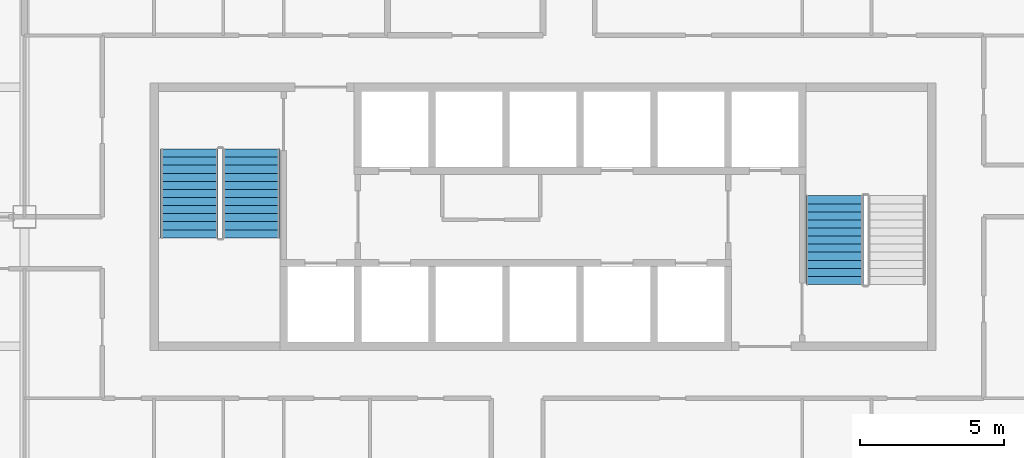
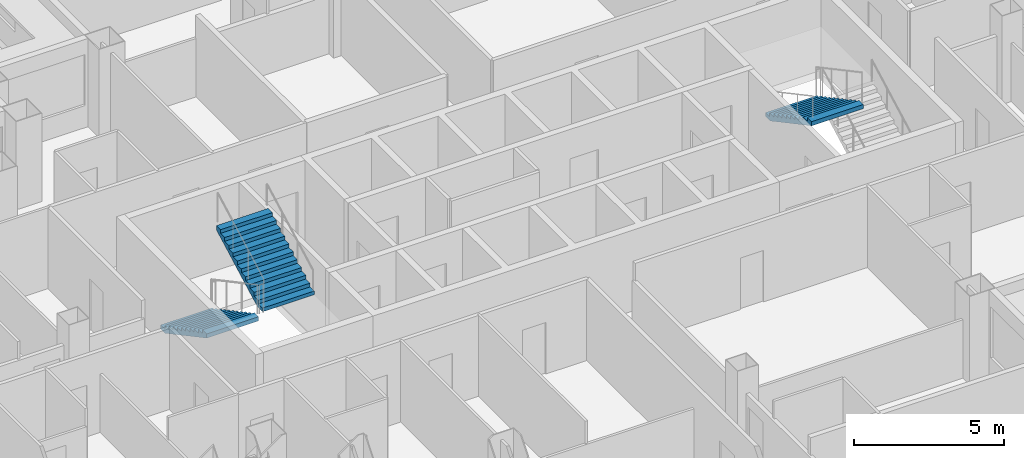
# One storey, part 11 of 15: 3 stair flights, 2 elements without a shape of their own.
"""IFC4 building model written with IfcOpenShell, lengths in metres."""

import ifcopenshell
import ifcopenshell.guid

model = None  # the IFC model being written
_history = None  # IfcOwnerHistory: only IFC2X3 demands one
_inside = {}  # id of a spatial element -> (the spatial element, [elements in it])
_under = {}  # id of a project, library or spatial element -> (it, [spatial elements below it])
_declared = {}  # id of a project -> (the project, [libraries it declares])
_typed = {}  # id of a type object -> (the type object, [elements of that type])
_made_of = {}  # id of a material, layer set ... -> (it, [elements and type objects made of it])


def new_model(schema):
    """Start an empty IFC model of exactly this schema.

    Asked for "IFC4X3", IfcOpenShell would pick the latest addendum, in which some entities
    have other attributes; the version numbers below select the first issue.
    IFC2X3 requires an IfcOwnerHistory on every rooted entity: one is made here for all.
    """
    global model, _history
    if schema == "IFC4X3":
        model = ifcopenshell.file(schema_version=(4, 3, 0, 0))
    else:
        model = ifcopenshell.file(schema=schema)
    _inside.clear()
    _under.clear()
    _declared.clear()
    _typed.clear()
    _made_of.clear()
    _history = None
    if model.schema == "IFC2X3":
        org = make("IfcOrganization", Name="unknown")
        user = make(
            "IfcPersonAndOrganization",
            ThePerson=make("IfcPerson", FamilyName="unknown"),
            TheOrganization=org,
        )
        app = make(
            "IfcApplication",
            ApplicationDeveloper=org,
            Version="unknown",
            ApplicationFullName="unknown",
            ApplicationIdentifier="unknown",
        )
        _history = make(
            "IfcOwnerHistory",
            OwningUser=user,
            OwningApplication=app,
            ChangeAction="ADDED",
            CreationDate=0,
        )
    return model


def make(cls, **values):
    """One entity of the class cls with the attributes given. An attribute that is None is left unset."""
    return model.create_entity(
        cls, **{name: value for name, value in values.items() if value is not None}
    )


def rooted(cls, **values):
    """An entity with a GlobalId (a new one), such as an element, a storey or a relation."""
    return make(cls, GlobalId=ifcopenshell.guid.new(), OwnerHistory=_history, **values)


def si_unit(unit_type, name, prefix=None):
    """IfcSIUnit, for example si_unit("LENGTHUNIT", "METRE", prefix="MILLI")."""
    return make("IfcSIUnit", UnitType=unit_type, Prefix=prefix, Name=name)


def assignment(units):
    """IfcUnitAssignment: the units of a project."""
    return None if units is None else make("IfcUnitAssignment", Units=units)


def point(xyz):
    """IfcCartesianPoint."""
    return None if xyz is None else make("IfcCartesianPoint", Coordinates=xyz)


def direction(xyz):
    """IfcDirection."""
    return None if xyz is None else make("IfcDirection", DirectionRatios=xyz)


def frame(location, z_axis=None, x_axis=None):
    """IfcAxis2Placement3D, a coordinate frame: its origin and axes. An axis left out is left unset."""
    return make(
        "IfcAxis2Placement3D",
        Location=point(location),
        Axis=direction(z_axis),
        RefDirection=direction(x_axis),
    )


def origin():
    """The frame at (0, 0, 0) with its axes left unset."""
    return frame((0.0, 0.0, 0.0))


def place(relative_to, where):
    """IfcLocalPlacement: puts the frame where relative to a parent placement (None: the world)."""
    return make(
        "IfcLocalPlacement", PlacementRelTo=relative_to, RelativePlacement=where
    )


def context(
    kind, dimensions, precision=None, world=None, true_north=None, identifier=None
):
    """IfcGeometricRepresentationContext, for example the 3D "Model" context."""
    return make(
        "IfcGeometricRepresentationContext",
        ContextIdentifier=identifier,
        ContextType=kind,
        CoordinateSpaceDimension=dimensions,
        Precision=precision,
        WorldCoordinateSystem=world,
        TrueNorth=true_north,
    )


def subcontext(parent, identifier, kind, view, scale=None):
    """IfcGeometricRepresentationSubContext, for example "Body" below "Model"."""
    return make(
        "IfcGeometricRepresentationSubContext",
        ContextIdentifier=identifier,
        ContextType=kind,
        ParentContext=parent,
        TargetScale=scale,
        TargetView=view,
    )


def project(units=None, contexts=None):
    """IfcProject with its units and contexts."""
    return rooted(
        "IfcProject",
        Name="project",
        RepresentationContexts=contexts,
        UnitsInContext=assignment(units),
    )


def spatial(cls, under=None, at=None, **own):
    """A site, building, storey or space (cls), placed at a placement, below another one or the project."""
    s = rooted(cls, ObjectPlacement=at, **own)
    if under is not None:
        _under.setdefault(under.id(), (under, []))[1].append(s)
    return s


def point_list(points):
    """IfcCartesianPointList2D or 3D."""
    cls = (
        "IfcCartesianPointList2D" if len(points[0]) == 2 else "IfcCartesianPointList3D"
    )
    return make(cls, CoordList=points)


def polygons(points, faces, closed=None, point_numbers=None):
    """IfcPolygonalFaceSet: a face is its outer loop, then its inner loops; points numbered from 1."""
    made = []
    for loops in faces:
        if len(loops) == 1:
            made.append(make("IfcIndexedPolygonalFace", CoordIndex=loops[0]))
        else:
            made.append(
                make(
                    "IfcIndexedPolygonalFaceWithVoids",
                    CoordIndex=loops[0],
                    InnerCoordIndices=loops[1:],
                )
            )
    return make(
        "IfcPolygonalFaceSet",
        Coordinates=point_list(points),
        Closed=closed,
        Faces=made,
        PnIndex=point_numbers,
    )


def shape(context_of_items, identifier, shape_type, items):
    """IfcShapeRepresentation: the items that make up one representation, for example the "Body"."""
    return make(
        "IfcShapeRepresentation",
        ContextOfItems=context_of_items,
        RepresentationIdentifier=identifier,
        RepresentationType=shape_type,
        Items=items,
    )


def material(Name=None, Category=None):
    """IfcMaterial."""
    return make("IfcMaterial", Name=Name, Category=Category)


def made_of(thing, what):
    """Note that an element or type object is made of a material, layer set ...; save() writes the relation."""
    if what is not None:
        _made_of.setdefault(what.id(), (what, []))[1].append(thing)
    return thing


def type_object(cls, material=None, **own):
    """A type object (cls), such as IfcWallType, which elements share."""
    return made_of(rooted(cls, **own), material)


def element(
    cls,
    number,
    at=None,
    inside=None,
    cuts=None,
    type_object=None,
    material=None,
    context=None,
    identifier="Body",
    shape_type=None,
    held_by="IfcProductDefinitionShape",
    body=None,
    shapes=None,
    **own,
):
    """One element of the class cls, such as IfcWall. Its Tag is "e" and its number.

    at: its placement. inside: the storey or other place that contains it. cuts: it is an
    opening in that element (IfcRelVoidsElement). A single representation is given by context,
    identifier, shape_type and body (its items); several are given by shapes. held_by: the class
    of the entity that holds the representations. save() writes the other relations.
    """
    e = rooted(cls, Tag="e%d" % number, ObjectPlacement=at, **own)
    if body is not None:
        shapes = [shape(context, identifier, shape_type, body)]
    if shapes is not None:
        e.Representation = make(held_by, Representations=shapes)
    if inside is not None:
        _inside.setdefault(inside.id(), (inside, []))[1].append(e)
    if cuts is not None:
        rooted(
            "IfcRelVoidsElement", RelatingBuildingElement=cuts, RelatedOpeningElement=e
        )
    if type_object is not None:
        _typed.setdefault(type_object.id(), (type_object, []))[1].append(e)
    return made_of(e, material)


def aggregate(whole, parts):
    """IfcRelAggregates: a whole, such as a stair, and the parts it consists of."""
    return rooted("IfcRelAggregates", RelatingObject=whole, RelatedObjects=parts)


def save(model, path):
    """Write the relations noted so far, then the file.

    IfcRelAggregates (storeys below a building ...), IfcRelContainedInSpatialStructure (elements
    in a storey), IfcRelDefinesByType, IfcRelAssociatesMaterial and IfcRelDeclares: one each for
    every whole, place, type object, material and project.
    """
    for whole, parts in _under.values():
        aggregate(whole, parts)
    for where, things in _inside.values():
        rooted(
            "IfcRelContainedInSpatialStructure",
            RelatedElements=things,
            RelatingStructure=where,
        )
    for kind, things in _typed.values():
        rooted("IfcRelDefinesByType", RelatedObjects=things, RelatingType=kind)
    for what, things in _made_of.values():
        rooted("IfcRelAssociatesMaterial", RelatedObjects=things, RelatingMaterial=what)
    for by, libraries in _declared.values():
        rooted("IfcRelDeclares", RelatingContext=by, RelatedDefinitions=libraries)
    model.write(path)


model = new_model("IFC4")

# Units and contexts
model_context = context("Model", 3, precision=1e-05, world=origin(), true_north=direction((0.0, 1.0)))
body_context = subcontext(model_context, "Body", "Model", "MODEL_VIEW")
ifc_project = project(units=[si_unit("LENGTHUNIT", "METRE"), si_unit("AREAUNIT", "SQUARE_METRE"), si_unit("VOLUMEUNIT", "CUBIC_METRE"), si_unit("PLANEANGLEUNIT", "RADIAN"), si_unit("MASSUNIT", "GRAM", prefix="KILO")], contexts=[model_context])

# Site, building, storey
site_placement = place(None, origin())
site = spatial("IfcSite", under=ifc_project, at=site_placement, CompositionType="ELEMENT")
building_placement = place(site_placement, origin())
building = spatial("IfcBuilding", under=site, at=building_placement, Name="Caravel Reach Hotel and Residences", CompositionType="ELEMENT")
storey_placement = place(building_placement, frame((0.0, 0.0, 70.800048828125)))
storey = spatial("IfcBuildingStorey", under=building, at=storey_placement, Name="L16", CompositionType="ELEMENT", Elevation=70.800048828125)

# Stair, stair flights
ifc_material_1 = material(Name="Concrete C40", Category="concrete")
stair_type = type_object("IfcStairType", Name="Core stair", PredefinedType="HALF_TURN_STAIR", material=ifc_material_1)
stair_1_placement = place(storey_placement, origin())
stair_1 = element("IfcStair", 1, at=stair_1_placement, inside=storey, type_object=stair_type, Name="L16 Exit stair A", PredefinedType="HALF_TURN_STAIR")
ifc_material_2 = material(Name="Concrete C40", Category="concrete")
stair_flight_type = type_object("IfcStairFlightType", Name="Core stair flight", PredefinedType="STRAIGHT", material=ifc_material_2)
stair_flight_1_placement = place(storey_placement, frame((19.22509765625, 29.35009765625, 0.0), z_axis=(0.0, 0.0, 1.0), x_axis=(0.0, -1.0, 0.0)))
stair_flight_1 = element("IfcStairFlight", 2, at=stair_flight_1_placement, type_object=stair_flight_type, Name="ST-A flight 1", NumberOfRisers=12, NumberOfTreads=11, PredefinedType="STRAIGHT", RiserHeight=0.15, TreadLength=0.28, context=body_context, shape_type="Tessellation", body=[
    polygons([(0.3174408016601862, 1.0, 0.0), (0.3174408016601862, 0.6666666666666667, 0.0), (0.3174408016601862, 0.33333333333333337, 0.0), (0.3174408016601862, 0.0, 0.0), (0.3174408016601862, -0.33333333333333326, 0.0), (0.3174408016601862, -0.6666666666666667, 0.0), (0.3174408016601862, -1.0, 0.0), (3.081, 1.0, 1.479942427682043), (3.081, 0.6666666666666667, 1.479942427682043), (3.081, 0.33333333333333337, 1.479942427682043), (3.081, 0.0, 1.479942427682043), (3.081, -0.33333333333333326, 1.479942427682043), (3.081, -0.6666666666666667, 1.479942427682043), (3.081, -1.0, 1.479942427682043), (3.081, 1.0, 1.65), (3.081, 0.6666666666666667, 1.65), (3.081, 0.33333333333333337, 1.65), (3.081, 0.0, 1.65), (3.081, -0.33333333333333326, 1.65), (3.081, -0.6666666666666667, 1.65), (3.081, -1.0, 1.65), (2.8000000000000003, 1.0, 1.65), (2.8000000000000003, 0.6666666666666667, 1.65), (2.8000000000000003, 0.33333333333333337, 1.65), (2.8000000000000003, 0.0, 1.65), (2.8000000000000003, -0.33333333333333326, 1.65), (2.8000000000000003, -0.6666666666666667, 1.65), (2.8000000000000003, -1.0, 1.65), (2.8000000000000003, 1.0, 1.5), (2.8000000000000003, 0.6666666666666667, 1.5), (2.8000000000000003, 0.33333333333333337, 1.5), (2.8000000000000003, 0.0, 1.5), (2.8000000000000003, -0.33333333333333326, 1.5), (2.8000000000000003, -0.6666666666666667, 1.5), (2.8000000000000003, -1.0, 1.5), (2.5200000000000005, 1.0, 1.5), (2.5200000000000005, 0.6666666666666667, 1.5), (2.5200000000000005, 0.33333333333333337, 1.5), (2.5200000000000005, 0.0, 1.5), (2.5200000000000005, -0.33333333333333326, 1.5), (2.5200000000000005, -0.6666666666666667, 1.5), (2.5200000000000005, -1.0, 1.5), (2.5200000000000005, 1.0, 1.3499999999999999), (2.5200000000000005, 0.6666666666666667, 1.3499999999999999), (2.5200000000000005, 0.33333333333333337, 1.3499999999999999), (2.5200000000000005, 0.0, 1.3499999999999999), (2.5200000000000005, -0.33333333333333326, 1.3499999999999999), (2.5200000000000005, -0.6666666666666667, 1.3499999999999999), (2.5200000000000005, -1.0, 1.3499999999999999), (2.24, 1.0, 1.3499999999999999), (2.24, 0.6666666666666667, 1.3499999999999999), (2.24, 0.33333333333333337, 1.3499999999999999), (2.24, 0.0, 1.3499999999999999), (2.24, -0.33333333333333326, 1.3499999999999999), (2.24, -0.6666666666666667, 1.3499999999999999), (2.24, -1.0, 1.3499999999999999), (2.24, 1.0, 1.2), (2.24, 0.6666666666666667, 1.2), (2.24, 0.33333333333333337, 1.2), (2.24, 0.0, 1.2), (2.24, -0.33333333333333326, 1.2), (2.24, -0.6666666666666667, 1.2), (2.24, -1.0, 1.2), (1.9600000000000002, 1.0, 1.2), (1.9600000000000002, 0.6666666666666667, 1.2), (1.9600000000000002, 0.33333333333333337, 1.2), (1.9600000000000002, 0.0, 1.2), (1.9600000000000002, -0.33333333333333326, 1.2), (1.9600000000000002, -0.6666666666666667, 1.2), (1.9600000000000002, -1.0, 1.2), (1.9600000000000002, 1.0, 1.05), (1.9600000000000002, 0.6666666666666667, 1.05), (1.9600000000000002, 0.33333333333333337, 1.05), (1.9600000000000002, 0.0, 1.05), (1.9600000000000002, -0.33333333333333326, 1.05), (1.9600000000000002, -0.6666666666666667, 1.05), (1.9600000000000002, -1.0, 1.05), (1.6800000000000002, 1.0, 1.05), (1.6800000000000002, 0.6666666666666667, 1.05), (1.6800000000000002, 0.33333333333333337, 1.05), (1.6800000000000002, 0.0, 1.05), (1.6800000000000002, -0.33333333333333326, 1.05), (1.6800000000000002, -0.6666666666666667, 1.05), (1.6800000000000002, -1.0, 1.05), (1.6800000000000002, 1.0, 0.8999999999999999), (1.6800000000000002, 0.6666666666666667, 0.8999999999999999), (1.6800000000000002, 0.33333333333333337, 0.8999999999999999), (1.6800000000000002, 0.0, 0.8999999999999999), (1.6800000000000002, -0.33333333333333326, 0.8999999999999999), (1.6800000000000002, -0.6666666666666667, 0.8999999999999999), (1.6800000000000002, -1.0, 0.8999999999999999), (1.4000000000000001, 1.0, 0.8999999999999999), (1.4000000000000001, 0.6666666666666667, 0.8999999999999999), (1.4000000000000001, 0.33333333333333337, 0.8999999999999999), (1.4000000000000001, 0.0, 0.8999999999999999), (1.4000000000000001, -0.33333333333333326, 0.8999999999999999), (1.4000000000000001, -0.6666666666666667, 0.8999999999999999), (1.4000000000000001, -1.0, 0.8999999999999999), (1.4000000000000001, 1.0, 0.75), (1.4000000000000001, 0.6666666666666667, 0.75), (1.4000000000000001, 0.33333333333333337, 0.75), (1.4000000000000001, 0.0, 0.75), (1.4000000000000001, -0.33333333333333326, 0.75), (1.4000000000000001, -0.6666666666666667, 0.75), (1.4000000000000001, -1.0, 0.75), (1.12, 1.0, 0.75), (1.12, 0.6666666666666667, 0.75), (1.12, 0.33333333333333337, 0.75), (1.12, 0.0, 0.75), (1.12, -0.33333333333333326, 0.75), (1.12, -0.6666666666666667, 0.75), (1.12, -1.0, 0.75), (1.12, 1.0, 0.6), (1.12, 0.6666666666666667, 0.6), (1.12, 0.33333333333333337, 0.6), (1.12, 0.0, 0.6), (1.12, -0.33333333333333326, 0.6), (1.12, -0.6666666666666667, 0.6), (1.12, -1.0, 0.6), (0.8400000000000001, 1.0, 0.6), (0.8400000000000001, 0.6666666666666667, 0.6), (0.8400000000000001, 0.33333333333333337, 0.6), (0.8400000000000001, 0.0, 0.6), (0.8400000000000001, -0.33333333333333326, 0.6), (0.8400000000000001, -0.6666666666666667, 0.6), (0.8400000000000001, -1.0, 0.6), (0.8400000000000001, 1.0, 0.44999999999999996), (0.8400000000000001, 0.6666666666666667, 0.44999999999999996), (0.8400000000000001, 0.33333333333333337, 0.44999999999999996), (0.8400000000000001, 0.0, 0.44999999999999996), (0.8400000000000001, -0.33333333333333326, 0.44999999999999996), (0.8400000000000001, -0.6666666666666667, 0.44999999999999996), (0.8400000000000001, -1.0, 0.44999999999999996), (0.56, 1.0, 0.44999999999999996), (0.56, 0.6666666666666667, 0.44999999999999996), (0.56, 0.33333333333333337, 0.44999999999999996), (0.56, 0.0, 0.44999999999999996), (0.56, -0.33333333333333326, 0.44999999999999996), (0.56, -0.6666666666666667, 0.44999999999999996), (0.56, -1.0, 0.44999999999999996), (0.56, 1.0, 0.3), (0.56, 0.6666666666666667, 0.3), (0.56, 0.33333333333333337, 0.3), (0.56, 0.0, 0.3), (0.56, -0.33333333333333326, 0.3), (0.56, -0.6666666666666667, 0.3), (0.56, -1.0, 0.3), (0.28, 1.0, 0.3), (0.28, 0.6666666666666667, 0.3), (0.28, 0.33333333333333337, 0.3), (0.28, 0.0, 0.3), (0.28, -0.33333333333333326, 0.3), (0.28, -0.6666666666666667, 0.3), (0.28, -1.0, 0.3), (0.28, 1.0, 0.15), (0.28, 0.6666666666666667, 0.15), (0.28, 0.33333333333333337, 0.15), (0.28, 0.0, 0.15), (0.28, -0.33333333333333326, 0.15), (0.28, -0.6666666666666667, 0.15), (0.28, -1.0, 0.15), (-0.001, 1.0, 0.15), (-0.001, 0.6666666666666667, 0.15), (-0.001, 0.33333333333333337, 0.15), (-0.001, 0.0, 0.15), (-0.001, -0.33333333333333326, 0.15), (-0.001, -0.6666666666666667, 0.15), (-0.001, -1.0, 0.15), (-0.001, 1.0, 0.0), (-0.001, 0.6666666666666667, 0.0), (-0.001, 0.33333333333333337, 0.0), (-0.001, 0.0, 0.0), (-0.001, -0.33333333333333326, 0.0), (-0.001, -0.6666666666666667, 0.0), (-0.001, -1.0, 0.0)], [[[169, 162, 155, 148, 141, 134, 127, 120, 113, 106, 99, 92, 85, 78, 71, 64, 57, 50, 43, 36, 29, 22, 15, 8, 1]], [[7, 14, 21, 28, 35, 42, 49, 56, 63, 70, 77, 84, 91, 98, 105, 112, 119, 126, 133, 140, 147, 154, 161, 168, 175]], [[1, 8, 9, 2]], [[2, 9, 10, 3]], [[3, 10, 11, 4]], [[4, 11, 12, 5]], [[5, 12, 13, 6]], [[6, 13, 14, 7]], [[8, 15, 16, 9]], [[9, 16, 17, 10]], [[10, 17, 18, 11]], [[11, 18, 19, 12]], [[12, 19, 20, 13]], [[13, 20, 21, 14]], [[15, 22, 23, 16]], [[16, 23, 24, 17]], [[17, 24, 25, 18]], [[18, 25, 26, 19]], [[19, 26, 27, 20]], [[20, 27, 28, 21]], [[22, 29, 30, 23]], [[23, 30, 31, 24]], [[24, 31, 32, 25]], [[25, 32, 33, 26]], [[26, 33, 34, 27]], [[27, 34, 35, 28]], [[29, 36, 37, 30]], [[30, 37, 38, 31]], [[31, 38, 39, 32]], [[32, 39, 40, 33]], [[33, 40, 41, 34]], [[34, 41, 42, 35]], [[36, 43, 44, 37]], [[37, 44, 45, 38]], [[38, 45, 46, 39]], [[39, 46, 47, 40]], [[40, 47, 48, 41]], [[41, 48, 49, 42]], [[43, 50, 51, 44]], [[44, 51, 52, 45]], [[45, 52, 53, 46]], [[46, 53, 54, 47]], [[47, 54, 55, 48]], [[48, 55, 56, 49]], [[50, 57, 58, 51]], [[51, 58, 59, 52]], [[52, 59, 60, 53]], [[53, 60, 61, 54]], [[54, 61, 62, 55]], [[55, 62, 63, 56]], [[57, 64, 65, 58]], [[58, 65, 66, 59]], [[59, 66, 67, 60]], [[60, 67, 68, 61]], [[61, 68, 69, 62]], [[62, 69, 70, 63]], [[64, 71, 72, 65]], [[65, 72, 73, 66]], [[66, 73, 74, 67]], [[67, 74, 75, 68]], [[68, 75, 76, 69]], [[69, 76, 77, 70]], [[71, 78, 79, 72]], [[72, 79, 80, 73]], [[73, 80, 81, 74]], [[74, 81, 82, 75]], [[75, 82, 83, 76]], [[76, 83, 84, 77]], [[78, 85, 86, 79]], [[79, 86, 87, 80]], [[80, 87, 88, 81]], [[81, 88, 89, 82]], [[82, 89, 90, 83]], [[83, 90, 91, 84]], [[85, 92, 93, 86]], [[86, 93, 94, 87]], [[87, 94, 95, 88]], [[88, 95, 96, 89]], [[89, 96, 97, 90]], [[90, 97, 98, 91]], [[92, 99, 100, 93]], [[93, 100, 101, 94]], [[94, 101, 102, 95]], [[95, 102, 103, 96]], [[96, 103, 104, 97]], [[97, 104, 105, 98]], [[99, 106, 107, 100]], [[100, 107, 108, 101]], [[101, 108, 109, 102]], [[102, 109, 110, 103]], [[103, 110, 111, 104]], [[104, 111, 112, 105]], [[106, 113, 114, 107]], [[107, 114, 115, 108]], [[108, 115, 116, 109]], [[109, 116, 117, 110]], [[110, 117, 118, 111]], [[111, 118, 119, 112]], [[113, 120, 121, 114]], [[114, 121, 122, 115]], [[115, 122, 123, 116]], [[116, 123, 124, 117]], [[117, 124, 125, 118]], [[118, 125, 126, 119]], [[120, 127, 128, 121]], [[121, 128, 129, 122]], [[122, 129, 130, 123]], [[123, 130, 131, 124]], [[124, 131, 132, 125]], [[125, 132, 133, 126]], [[127, 134, 135, 128]], [[128, 135, 136, 129]], [[129, 136, 137, 130]], [[130, 137, 138, 131]], [[131, 138, 139, 132]], [[132, 139, 140, 133]], [[134, 141, 142, 135]], [[135, 142, 143, 136]], [[136, 143, 144, 137]], [[137, 144, 145, 138]], [[138, 145, 146, 139]], [[139, 146, 147, 140]], [[141, 148, 149, 142]], [[142, 149, 150, 143]], [[143, 150, 151, 144]], [[144, 151, 152, 145]], [[145, 152, 153, 146]], [[146, 153, 154, 147]], [[148, 155, 156, 149]], [[149, 156, 157, 150]], [[150, 157, 158, 151]], [[151, 158, 159, 152]], [[152, 159, 160, 153]], [[153, 160, 161, 154]], [[155, 162, 163, 156]], [[156, 163, 164, 157]], [[157, 164, 165, 158]], [[158, 165, 166, 159]], [[159, 166, 167, 160]], [[160, 167, 168, 161]], [[162, 169, 170, 163]], [[163, 170, 171, 164]], [[164, 171, 172, 165]], [[165, 172, 173, 166]], [[166, 173, 174, 167]], [[167, 174, 175, 168]], [[169, 1, 2, 170]], [[170, 2, 3, 171]], [[171, 3, 4, 172]], [[172, 4, 5, 173]], [[173, 5, 6, 174]], [[174, 6, 7, 175]]], closed=True),
])
stair_flight_2_placement = place(storey_placement, frame((21.375, 26.27001953125, 1.800048828125), z_axis=(0.0, 0.0, 1.0), x_axis=(0.0, 1.0, 0.0)))
stair_flight_2 = element("IfcStairFlight", 3, at=stair_flight_2_placement, type_object=stair_flight_type, Name="ST-A flight 2", NumberOfRisers=12, NumberOfTreads=11, PredefinedType="STRAIGHT", RiserHeight=0.15, TreadLength=0.28, context=body_context, shape_type="Tessellation", body=[
    polygons([(0.3174408016601862, 1.0, 0.0), (0.3174408016601862, 0.6666666666666667, 0.0), (0.3174408016601862, 0.33333333333333337, 0.0), (0.3174408016601862, 0.0, 0.0), (0.3174408016601862, -0.33333333333333326, 0.0), (0.3174408016601862, -0.6666666666666667, 0.0), (0.3174408016601862, -1.0, 0.0), (3.081, 1.0, 1.479942427682043), (3.081, 0.6666666666666667, 1.479942427682043), (3.081, 0.33333333333333337, 1.479942427682043), (3.081, 0.0, 1.479942427682043), (3.081, -0.33333333333333326, 1.479942427682043), (3.081, -0.6666666666666667, 1.479942427682043), (3.081, -1.0, 1.479942427682043), (3.081, 1.0, 1.65), (3.081, 0.6666666666666667, 1.65), (3.081, 0.33333333333333337, 1.65), (3.081, 0.0, 1.65), (3.081, -0.33333333333333326, 1.65), (3.081, -0.6666666666666667, 1.65), (3.081, -1.0, 1.65), (2.8000000000000003, 1.0, 1.65), (2.8000000000000003, 0.6666666666666667, 1.65), (2.8000000000000003, 0.33333333333333337, 1.65), (2.8000000000000003, 0.0, 1.65), (2.8000000000000003, -0.33333333333333326, 1.65), (2.8000000000000003, -0.6666666666666667, 1.65), (2.8000000000000003, -1.0, 1.65), (2.8000000000000003, 1.0, 1.5), (2.8000000000000003, 0.6666666666666667, 1.5), (2.8000000000000003, 0.33333333333333337, 1.5), (2.8000000000000003, 0.0, 1.5), (2.8000000000000003, -0.33333333333333326, 1.5), (2.8000000000000003, -0.6666666666666667, 1.5), (2.8000000000000003, -1.0, 1.5), (2.5200000000000005, 1.0, 1.5), (2.5200000000000005, 0.6666666666666667, 1.5), (2.5200000000000005, 0.33333333333333337, 1.5), (2.5200000000000005, 0.0, 1.5), (2.5200000000000005, -0.33333333333333326, 1.5), (2.5200000000000005, -0.6666666666666667, 1.5), (2.5200000000000005, -1.0, 1.5), (2.5200000000000005, 1.0, 1.3499999999999999), (2.5200000000000005, 0.6666666666666667, 1.3499999999999999), (2.5200000000000005, 0.33333333333333337, 1.3499999999999999), (2.5200000000000005, 0.0, 1.3499999999999999), (2.5200000000000005, -0.33333333333333326, 1.3499999999999999), (2.5200000000000005, -0.6666666666666667, 1.3499999999999999), (2.5200000000000005, -1.0, 1.3499999999999999), (2.24, 1.0, 1.3499999999999999), (2.24, 0.6666666666666667, 1.3499999999999999), (2.24, 0.33333333333333337, 1.3499999999999999), (2.24, 0.0, 1.3499999999999999), (2.24, -0.33333333333333326, 1.3499999999999999), (2.24, -0.6666666666666667, 1.3499999999999999), (2.24, -1.0, 1.3499999999999999), (2.24, 1.0, 1.2), (2.24, 0.6666666666666667, 1.2), (2.24, 0.33333333333333337, 1.2), (2.24, 0.0, 1.2), (2.24, -0.33333333333333326, 1.2), (2.24, -0.6666666666666667, 1.2), (2.24, -1.0, 1.2), (1.9600000000000002, 1.0, 1.2), (1.9600000000000002, 0.6666666666666667, 1.2), (1.9600000000000002, 0.33333333333333337, 1.2), (1.9600000000000002, 0.0, 1.2), (1.9600000000000002, -0.33333333333333326, 1.2), (1.9600000000000002, -0.6666666666666667, 1.2), (1.9600000000000002, -1.0, 1.2), (1.9600000000000002, 1.0, 1.05), (1.9600000000000002, 0.6666666666666667, 1.05), (1.9600000000000002, 0.33333333333333337, 1.05), (1.9600000000000002, 0.0, 1.05), (1.9600000000000002, -0.33333333333333326, 1.05), (1.9600000000000002, -0.6666666666666667, 1.05), (1.9600000000000002, -1.0, 1.05), (1.6800000000000002, 1.0, 1.05), (1.6800000000000002, 0.6666666666666667, 1.05), (1.6800000000000002, 0.33333333333333337, 1.05), (1.6800000000000002, 0.0, 1.05), (1.6800000000000002, -0.33333333333333326, 1.05), (1.6800000000000002, -0.6666666666666667, 1.05), (1.6800000000000002, -1.0, 1.05), (1.6800000000000002, 1.0, 0.8999999999999999), (1.6800000000000002, 0.6666666666666667, 0.8999999999999999), (1.6800000000000002, 0.33333333333333337, 0.8999999999999999), (1.6800000000000002, 0.0, 0.8999999999999999), (1.6800000000000002, -0.33333333333333326, 0.8999999999999999), (1.6800000000000002, -0.6666666666666667, 0.8999999999999999), (1.6800000000000002, -1.0, 0.8999999999999999), (1.4000000000000001, 1.0, 0.8999999999999999), (1.4000000000000001, 0.6666666666666667, 0.8999999999999999), (1.4000000000000001, 0.33333333333333337, 0.8999999999999999), (1.4000000000000001, 0.0, 0.8999999999999999), (1.4000000000000001, -0.33333333333333326, 0.8999999999999999), (1.4000000000000001, -0.6666666666666667, 0.8999999999999999), (1.4000000000000001, -1.0, 0.8999999999999999), (1.4000000000000001, 1.0, 0.75), (1.4000000000000001, 0.6666666666666667, 0.75), (1.4000000000000001, 0.33333333333333337, 0.75), (1.4000000000000001, 0.0, 0.75), (1.4000000000000001, -0.33333333333333326, 0.75), (1.4000000000000001, -0.6666666666666667, 0.75), (1.4000000000000001, -1.0, 0.75), (1.12, 1.0, 0.75), (1.12, 0.6666666666666667, 0.75), (1.12, 0.33333333333333337, 0.75), (1.12, 0.0, 0.75), (1.12, -0.33333333333333326, 0.75), (1.12, -0.6666666666666667, 0.75), (1.12, -1.0, 0.75), (1.12, 1.0, 0.6), (1.12, 0.6666666666666667, 0.6), (1.12, 0.33333333333333337, 0.6), (1.12, 0.0, 0.6), (1.12, -0.33333333333333326, 0.6), (1.12, -0.6666666666666667, 0.6), (1.12, -1.0, 0.6), (0.8400000000000001, 1.0, 0.6), (0.8400000000000001, 0.6666666666666667, 0.6), (0.8400000000000001, 0.33333333333333337, 0.6), (0.8400000000000001, 0.0, 0.6), (0.8400000000000001, -0.33333333333333326, 0.6), (0.8400000000000001, -0.6666666666666667, 0.6), (0.8400000000000001, -1.0, 0.6), (0.8400000000000001, 1.0, 0.44999999999999996), (0.8400000000000001, 0.6666666666666667, 0.44999999999999996), (0.8400000000000001, 0.33333333333333337, 0.44999999999999996), (0.8400000000000001, 0.0, 0.44999999999999996), (0.8400000000000001, -0.33333333333333326, 0.44999999999999996), (0.8400000000000001, -0.6666666666666667, 0.44999999999999996), (0.8400000000000001, -1.0, 0.44999999999999996), (0.56, 1.0, 0.44999999999999996), (0.56, 0.6666666666666667, 0.44999999999999996), (0.56, 0.33333333333333337, 0.44999999999999996), (0.56, 0.0, 0.44999999999999996), (0.56, -0.33333333333333326, 0.44999999999999996), (0.56, -0.6666666666666667, 0.44999999999999996), (0.56, -1.0, 0.44999999999999996), (0.56, 1.0, 0.3), (0.56, 0.6666666666666667, 0.3), (0.56, 0.33333333333333337, 0.3), (0.56, 0.0, 0.3), (0.56, -0.33333333333333326, 0.3), (0.56, -0.6666666666666667, 0.3), (0.56, -1.0, 0.3), (0.28, 1.0, 0.3), (0.28, 0.6666666666666667, 0.3), (0.28, 0.33333333333333337, 0.3), (0.28, 0.0, 0.3), (0.28, -0.33333333333333326, 0.3), (0.28, -0.6666666666666667, 0.3), (0.28, -1.0, 0.3), (0.28, 1.0, 0.15), (0.28, 0.6666666666666667, 0.15), (0.28, 0.33333333333333337, 0.15), (0.28, 0.0, 0.15), (0.28, -0.33333333333333326, 0.15), (0.28, -0.6666666666666667, 0.15), (0.28, -1.0, 0.15), (-0.001, 1.0, 0.15), (-0.001, 0.6666666666666667, 0.15), (-0.001, 0.33333333333333337, 0.15), (-0.001, 0.0, 0.15), (-0.001, -0.33333333333333326, 0.15), (-0.001, -0.6666666666666667, 0.15), (-0.001, -1.0, 0.15), (-0.001, 1.0, 0.0), (-0.001, 0.6666666666666667, 0.0), (-0.001, 0.33333333333333337, 0.0), (-0.001, 0.0, 0.0), (-0.001, -0.33333333333333326, 0.0), (-0.001, -0.6666666666666667, 0.0), (-0.001, -1.0, 0.0)], [[[169, 162, 155, 148, 141, 134, 127, 120, 113, 106, 99, 92, 85, 78, 71, 64, 57, 50, 43, 36, 29, 22, 15, 8, 1]], [[7, 14, 21, 28, 35, 42, 49, 56, 63, 70, 77, 84, 91, 98, 105, 112, 119, 126, 133, 140, 147, 154, 161, 168, 175]], [[1, 8, 9, 2]], [[2, 9, 10, 3]], [[3, 10, 11, 4]], [[4, 11, 12, 5]], [[5, 12, 13, 6]], [[6, 13, 14, 7]], [[8, 15, 16, 9]], [[9, 16, 17, 10]], [[10, 17, 18, 11]], [[11, 18, 19, 12]], [[12, 19, 20, 13]], [[13, 20, 21, 14]], [[15, 22, 23, 16]], [[16, 23, 24, 17]], [[17, 24, 25, 18]], [[18, 25, 26, 19]], [[19, 26, 27, 20]], [[20, 27, 28, 21]], [[22, 29, 30, 23]], [[23, 30, 31, 24]], [[24, 31, 32, 25]], [[25, 32, 33, 26]], [[26, 33, 34, 27]], [[27, 34, 35, 28]], [[29, 36, 37, 30]], [[30, 37, 38, 31]], [[31, 38, 39, 32]], [[32, 39, 40, 33]], [[33, 40, 41, 34]], [[34, 41, 42, 35]], [[36, 43, 44, 37]], [[37, 44, 45, 38]], [[38, 45, 46, 39]], [[39, 46, 47, 40]], [[40, 47, 48, 41]], [[41, 48, 49, 42]], [[43, 50, 51, 44]], [[44, 51, 52, 45]], [[45, 52, 53, 46]], [[46, 53, 54, 47]], [[47, 54, 55, 48]], [[48, 55, 56, 49]], [[50, 57, 58, 51]], [[51, 58, 59, 52]], [[52, 59, 60, 53]], [[53, 60, 61, 54]], [[54, 61, 62, 55]], [[55, 62, 63, 56]], [[57, 64, 65, 58]], [[58, 65, 66, 59]], [[59, 66, 67, 60]], [[60, 67, 68, 61]], [[61, 68, 69, 62]], [[62, 69, 70, 63]], [[64, 71, 72, 65]], [[65, 72, 73, 66]], [[66, 73, 74, 67]], [[67, 74, 75, 68]], [[68, 75, 76, 69]], [[69, 76, 77, 70]], [[71, 78, 79, 72]], [[72, 79, 80, 73]], [[73, 80, 81, 74]], [[74, 81, 82, 75]], [[75, 82, 83, 76]], [[76, 83, 84, 77]], [[78, 85, 86, 79]], [[79, 86, 87, 80]], [[80, 87, 88, 81]], [[81, 88, 89, 82]], [[82, 89, 90, 83]], [[83, 90, 91, 84]], [[85, 92, 93, 86]], [[86, 93, 94, 87]], [[87, 94, 95, 88]], [[88, 95, 96, 89]], [[89, 96, 97, 90]], [[90, 97, 98, 91]], [[92, 99, 100, 93]], [[93, 100, 101, 94]], [[94, 101, 102, 95]], [[95, 102, 103, 96]], [[96, 103, 104, 97]], [[97, 104, 105, 98]], [[99, 106, 107, 100]], [[100, 107, 108, 101]], [[101, 108, 109, 102]], [[102, 109, 110, 103]], [[103, 110, 111, 104]], [[104, 111, 112, 105]], [[106, 113, 114, 107]], [[107, 114, 115, 108]], [[108, 115, 116, 109]], [[109, 116, 117, 110]], [[110, 117, 118, 111]], [[111, 118, 119, 112]], [[113, 120, 121, 114]], [[114, 121, 122, 115]], [[115, 122, 123, 116]], [[116, 123, 124, 117]], [[117, 124, 125, 118]], [[118, 125, 126, 119]], [[120, 127, 128, 121]], [[121, 128, 129, 122]], [[122, 129, 130, 123]], [[123, 130, 131, 124]], [[124, 131, 132, 125]], [[125, 132, 133, 126]], [[127, 134, 135, 128]], [[128, 135, 136, 129]], [[129, 136, 137, 130]], [[130, 137, 138, 131]], [[131, 138, 139, 132]], [[132, 139, 140, 133]], [[134, 141, 142, 135]], [[135, 142, 143, 136]], [[136, 143, 144, 137]], [[137, 144, 145, 138]], [[138, 145, 146, 139]], [[139, 146, 147, 140]], [[141, 148, 149, 142]], [[142, 149, 150, 143]], [[143, 150, 151, 144]], [[144, 151, 152, 145]], [[145, 152, 153, 146]], [[146, 153, 154, 147]], [[148, 155, 156, 149]], [[149, 156, 157, 150]], [[150, 157, 158, 151]], [[151, 158, 159, 152]], [[152, 159, 160, 153]], [[153, 160, 161, 154]], [[155, 162, 163, 156]], [[156, 163, 164, 157]], [[157, 164, 165, 158]], [[158, 165, 166, 159]], [[159, 166, 167, 160]], [[160, 167, 168, 161]], [[162, 169, 170, 163]], [[163, 170, 171, 164]], [[164, 171, 172, 165]], [[165, 172, 173, 166]], [[166, 173, 174, 167]], [[167, 174, 175, 168]], [[169, 1, 2, 170]], [[170, 2, 3, 171]], [[171, 3, 4, 172]], [[172, 4, 5, 173]], [[173, 5, 6, 174]], [[174, 6, 7, 175]]], closed=True),
])
aggregate(stair_1, [stair_flight_1, stair_flight_2])

# Stair, stair flight
stair_2_placement = place(storey_placement, origin())
stair_2 = element("IfcStair", 4, at=stair_2_placement, inside=storey, type_object=stair_type, Name="L16 Exit stair B", PredefinedType="HALF_TURN_STAIR")
stair_flight_3_placement = place(storey_placement, frame((41.625, 27.72998046875, 1.800048828125), z_axis=(0.0, 0.0, 1.0), x_axis=(0.0, -1.0, 0.0)))
stair_flight_3 = element("IfcStairFlight", 5, at=stair_flight_3_placement, type_object=stair_flight_type, Name="ST-B flight 2", NumberOfRisers=12, NumberOfTreads=11, PredefinedType="STRAIGHT", RiserHeight=0.15, TreadLength=0.28, context=body_context, shape_type="Tessellation", body=[
    polygons([(0.3174408016601862, 1.0, 0.0), (0.3174408016601862, 0.6666666666666667, 0.0), (0.3174408016601862, 0.33333333333333337, 0.0), (0.3174408016601862, 0.0, 0.0), (0.3174408016601862, -0.33333333333333326, 0.0), (0.3174408016601862, -0.6666666666666667, 0.0), (0.3174408016601862, -1.0, 0.0), (3.081, 1.0, 1.479942427682043), (3.081, 0.6666666666666667, 1.479942427682043), (3.081, 0.33333333333333337, 1.479942427682043), (3.081, 0.0, 1.479942427682043), (3.081, -0.33333333333333326, 1.479942427682043), (3.081, -0.6666666666666667, 1.479942427682043), (3.081, -1.0, 1.479942427682043), (3.081, 1.0, 1.65), (3.081, 0.6666666666666667, 1.65), (3.081, 0.33333333333333337, 1.65), (3.081, 0.0, 1.65), (3.081, -0.33333333333333326, 1.65), (3.081, -0.6666666666666667, 1.65), (3.081, -1.0, 1.65), (2.8000000000000003, 1.0, 1.65), (2.8000000000000003, 0.6666666666666667, 1.65), (2.8000000000000003, 0.33333333333333337, 1.65), (2.8000000000000003, 0.0, 1.65), (2.8000000000000003, -0.33333333333333326, 1.65), (2.8000000000000003, -0.6666666666666667, 1.65), (2.8000000000000003, -1.0, 1.65), (2.8000000000000003, 1.0, 1.5), (2.8000000000000003, 0.6666666666666667, 1.5), (2.8000000000000003, 0.33333333333333337, 1.5), (2.8000000000000003, 0.0, 1.5), (2.8000000000000003, -0.33333333333333326, 1.5), (2.8000000000000003, -0.6666666666666667, 1.5), (2.8000000000000003, -1.0, 1.5), (2.5200000000000005, 1.0, 1.5), (2.5200000000000005, 0.6666666666666667, 1.5), (2.5200000000000005, 0.33333333333333337, 1.5), (2.5200000000000005, 0.0, 1.5), (2.5200000000000005, -0.33333333333333326, 1.5), (2.5200000000000005, -0.6666666666666667, 1.5), (2.5200000000000005, -1.0, 1.5), (2.5200000000000005, 1.0, 1.3499999999999999), (2.5200000000000005, 0.6666666666666667, 1.3499999999999999), (2.5200000000000005, 0.33333333333333337, 1.3499999999999999), (2.5200000000000005, 0.0, 1.3499999999999999), (2.5200000000000005, -0.33333333333333326, 1.3499999999999999), (2.5200000000000005, -0.6666666666666667, 1.3499999999999999), (2.5200000000000005, -1.0, 1.3499999999999999), (2.24, 1.0, 1.3499999999999999), (2.24, 0.6666666666666667, 1.3499999999999999), (2.24, 0.33333333333333337, 1.3499999999999999), (2.24, 0.0, 1.3499999999999999), (2.24, -0.33333333333333326, 1.3499999999999999), (2.24, -0.6666666666666667, 1.3499999999999999), (2.24, -1.0, 1.3499999999999999), (2.24, 1.0, 1.2), (2.24, 0.6666666666666667, 1.2), (2.24, 0.33333333333333337, 1.2), (2.24, 0.0, 1.2), (2.24, -0.33333333333333326, 1.2), (2.24, -0.6666666666666667, 1.2), (2.24, -1.0, 1.2), (1.9600000000000002, 1.0, 1.2), (1.9600000000000002, 0.6666666666666667, 1.2), (1.9600000000000002, 0.33333333333333337, 1.2), (1.9600000000000002, 0.0, 1.2), (1.9600000000000002, -0.33333333333333326, 1.2), (1.9600000000000002, -0.6666666666666667, 1.2), (1.9600000000000002, -1.0, 1.2), (1.9600000000000002, 1.0, 1.05), (1.9600000000000002, 0.6666666666666667, 1.05), (1.9600000000000002, 0.33333333333333337, 1.05), (1.9600000000000002, 0.0, 1.05), (1.9600000000000002, -0.33333333333333326, 1.05), (1.9600000000000002, -0.6666666666666667, 1.05), (1.9600000000000002, -1.0, 1.05), (1.6800000000000002, 1.0, 1.05), (1.6800000000000002, 0.6666666666666667, 1.05), (1.6800000000000002, 0.33333333333333337, 1.05), (1.6800000000000002, 0.0, 1.05), (1.6800000000000002, -0.33333333333333326, 1.05), (1.6800000000000002, -0.6666666666666667, 1.05), (1.6800000000000002, -1.0, 1.05), (1.6800000000000002, 1.0, 0.8999999999999999), (1.6800000000000002, 0.6666666666666667, 0.8999999999999999), (1.6800000000000002, 0.33333333333333337, 0.8999999999999999), (1.6800000000000002, 0.0, 0.8999999999999999), (1.6800000000000002, -0.33333333333333326, 0.8999999999999999), (1.6800000000000002, -0.6666666666666667, 0.8999999999999999), (1.6800000000000002, -1.0, 0.8999999999999999), (1.4000000000000001, 1.0, 0.8999999999999999), (1.4000000000000001, 0.6666666666666667, 0.8999999999999999), (1.4000000000000001, 0.33333333333333337, 0.8999999999999999), (1.4000000000000001, 0.0, 0.8999999999999999), (1.4000000000000001, -0.33333333333333326, 0.8999999999999999), (1.4000000000000001, -0.6666666666666667, 0.8999999999999999), (1.4000000000000001, -1.0, 0.8999999999999999), (1.4000000000000001, 1.0, 0.75), (1.4000000000000001, 0.6666666666666667, 0.75), (1.4000000000000001, 0.33333333333333337, 0.75), (1.4000000000000001, 0.0, 0.75), (1.4000000000000001, -0.33333333333333326, 0.75), (1.4000000000000001, -0.6666666666666667, 0.75), (1.4000000000000001, -1.0, 0.75), (1.12, 1.0, 0.75), (1.12, 0.6666666666666667, 0.75), (1.12, 0.33333333333333337, 0.75), (1.12, 0.0, 0.75), (1.12, -0.33333333333333326, 0.75), (1.12, -0.6666666666666667, 0.75), (1.12, -1.0, 0.75), (1.12, 1.0, 0.6), (1.12, 0.6666666666666667, 0.6), (1.12, 0.33333333333333337, 0.6), (1.12, 0.0, 0.6), (1.12, -0.33333333333333326, 0.6), (1.12, -0.6666666666666667, 0.6), (1.12, -1.0, 0.6), (0.8400000000000001, 1.0, 0.6), (0.8400000000000001, 0.6666666666666667, 0.6), (0.8400000000000001, 0.33333333333333337, 0.6), (0.8400000000000001, 0.0, 0.6), (0.8400000000000001, -0.33333333333333326, 0.6), (0.8400000000000001, -0.6666666666666667, 0.6), (0.8400000000000001, -1.0, 0.6), (0.8400000000000001, 1.0, 0.44999999999999996), (0.8400000000000001, 0.6666666666666667, 0.44999999999999996), (0.8400000000000001, 0.33333333333333337, 0.44999999999999996), (0.8400000000000001, 0.0, 0.44999999999999996), (0.8400000000000001, -0.33333333333333326, 0.44999999999999996), (0.8400000000000001, -0.6666666666666667, 0.44999999999999996), (0.8400000000000001, -1.0, 0.44999999999999996), (0.56, 1.0, 0.44999999999999996), (0.56, 0.6666666666666667, 0.44999999999999996), (0.56, 0.33333333333333337, 0.44999999999999996), (0.56, 0.0, 0.44999999999999996), (0.56, -0.33333333333333326, 0.44999999999999996), (0.56, -0.6666666666666667, 0.44999999999999996), (0.56, -1.0, 0.44999999999999996), (0.56, 1.0, 0.3), (0.56, 0.6666666666666667, 0.3), (0.56, 0.33333333333333337, 0.3), (0.56, 0.0, 0.3), (0.56, -0.33333333333333326, 0.3), (0.56, -0.6666666666666667, 0.3), (0.56, -1.0, 0.3), (0.28, 1.0, 0.3), (0.28, 0.6666666666666667, 0.3), (0.28, 0.33333333333333337, 0.3), (0.28, 0.0, 0.3), (0.28, -0.33333333333333326, 0.3), (0.28, -0.6666666666666667, 0.3), (0.28, -1.0, 0.3), (0.28, 1.0, 0.15), (0.28, 0.6666666666666667, 0.15), (0.28, 0.33333333333333337, 0.15), (0.28, 0.0, 0.15), (0.28, -0.33333333333333326, 0.15), (0.28, -0.6666666666666667, 0.15), (0.28, -1.0, 0.15), (-0.001, 1.0, 0.15), (-0.001, 0.6666666666666667, 0.15), (-0.001, 0.33333333333333337, 0.15), (-0.001, 0.0, 0.15), (-0.001, -0.33333333333333326, 0.15), (-0.001, -0.6666666666666667, 0.15), (-0.001, -1.0, 0.15), (-0.001, 1.0, 0.0), (-0.001, 0.6666666666666667, 0.0), (-0.001, 0.33333333333333337, 0.0), (-0.001, 0.0, 0.0), (-0.001, -0.33333333333333326, 0.0), (-0.001, -0.6666666666666667, 0.0), (-0.001, -1.0, 0.0)], [[[169, 162, 155, 148, 141, 134, 127, 120, 113, 106, 99, 92, 85, 78, 71, 64, 57, 50, 43, 36, 29, 22, 15, 8, 1]], [[7, 14, 21, 28, 35, 42, 49, 56, 63, 70, 77, 84, 91, 98, 105, 112, 119, 126, 133, 140, 147, 154, 161, 168, 175]], [[1, 8, 9, 2]], [[2, 9, 10, 3]], [[3, 10, 11, 4]], [[4, 11, 12, 5]], [[5, 12, 13, 6]], [[6, 13, 14, 7]], [[8, 15, 16, 9]], [[9, 16, 17, 10]], [[10, 17, 18, 11]], [[11, 18, 19, 12]], [[12, 19, 20, 13]], [[13, 20, 21, 14]], [[15, 22, 23, 16]], [[16, 23, 24, 17]], [[17, 24, 25, 18]], [[18, 25, 26, 19]], [[19, 26, 27, 20]], [[20, 27, 28, 21]], [[22, 29, 30, 23]], [[23, 30, 31, 24]], [[24, 31, 32, 25]], [[25, 32, 33, 26]], [[26, 33, 34, 27]], [[27, 34, 35, 28]], [[29, 36, 37, 30]], [[30, 37, 38, 31]], [[31, 38, 39, 32]], [[32, 39, 40, 33]], [[33, 40, 41, 34]], [[34, 41, 42, 35]], [[36, 43, 44, 37]], [[37, 44, 45, 38]], [[38, 45, 46, 39]], [[39, 46, 47, 40]], [[40, 47, 48, 41]], [[41, 48, 49, 42]], [[43, 50, 51, 44]], [[44, 51, 52, 45]], [[45, 52, 53, 46]], [[46, 53, 54, 47]], [[47, 54, 55, 48]], [[48, 55, 56, 49]], [[50, 57, 58, 51]], [[51, 58, 59, 52]], [[52, 59, 60, 53]], [[53, 60, 61, 54]], [[54, 61, 62, 55]], [[55, 62, 63, 56]], [[57, 64, 65, 58]], [[58, 65, 66, 59]], [[59, 66, 67, 60]], [[60, 67, 68, 61]], [[61, 68, 69, 62]], [[62, 69, 70, 63]], [[64, 71, 72, 65]], [[65, 72, 73, 66]], [[66, 73, 74, 67]], [[67, 74, 75, 68]], [[68, 75, 76, 69]], [[69, 76, 77, 70]], [[71, 78, 79, 72]], [[72, 79, 80, 73]], [[73, 80, 81, 74]], [[74, 81, 82, 75]], [[75, 82, 83, 76]], [[76, 83, 84, 77]], [[78, 85, 86, 79]], [[79, 86, 87, 80]], [[80, 87, 88, 81]], [[81, 88, 89, 82]], [[82, 89, 90, 83]], [[83, 90, 91, 84]], [[85, 92, 93, 86]], [[86, 93, 94, 87]], [[87, 94, 95, 88]], [[88, 95, 96, 89]], [[89, 96, 97, 90]], [[90, 97, 98, 91]], [[92, 99, 100, 93]], [[93, 100, 101, 94]], [[94, 101, 102, 95]], [[95, 102, 103, 96]], [[96, 103, 104, 97]], [[97, 104, 105, 98]], [[99, 106, 107, 100]], [[100, 107, 108, 101]], [[101, 108, 109, 102]], [[102, 109, 110, 103]], [[103, 110, 111, 104]], [[104, 111, 112, 105]], [[106, 113, 114, 107]], [[107, 114, 115, 108]], [[108, 115, 116, 109]], [[109, 116, 117, 110]], [[110, 117, 118, 111]], [[111, 118, 119, 112]], [[113, 120, 121, 114]], [[114, 121, 122, 115]], [[115, 122, 123, 116]], [[116, 123, 124, 117]], [[117, 124, 125, 118]], [[118, 125, 126, 119]], [[120, 127, 128, 121]], [[121, 128, 129, 122]], [[122, 129, 130, 123]], [[123, 130, 131, 124]], [[124, 131, 132, 125]], [[125, 132, 133, 126]], [[127, 134, 135, 128]], [[128, 135, 136, 129]], [[129, 136, 137, 130]], [[130, 137, 138, 131]], [[131, 138, 139, 132]], [[132, 139, 140, 133]], [[134, 141, 142, 135]], [[135, 142, 143, 136]], [[136, 143, 144, 137]], [[137, 144, 145, 138]], [[138, 145, 146, 139]], [[139, 146, 147, 140]], [[141, 148, 149, 142]], [[142, 149, 150, 143]], [[143, 150, 151, 144]], [[144, 151, 152, 145]], [[145, 152, 153, 146]], [[146, 153, 154, 147]], [[148, 155, 156, 149]], [[149, 156, 157, 150]], [[150, 157, 158, 151]], [[151, 158, 159, 152]], [[152, 159, 160, 153]], [[153, 160, 161, 154]], [[155, 162, 163, 156]], [[156, 163, 164, 157]], [[157, 164, 165, 158]], [[158, 165, 166, 159]], [[159, 166, 167, 160]], [[160, 167, 168, 161]], [[162, 169, 170, 163]], [[163, 170, 171, 164]], [[164, 171, 172, 165]], [[165, 172, 173, 166]], [[166, 173, 174, 167]], [[167, 174, 175, 168]], [[169, 1, 2, 170]], [[170, 2, 3, 171]], [[171, 3, 4, 172]], [[172, 4, 5, 173]], [[173, 5, 6, 174]], [[174, 6, 7, 175]]], closed=True),
])
aggregate(stair_2, [stair_flight_3])

save(model, "model.ifc")
